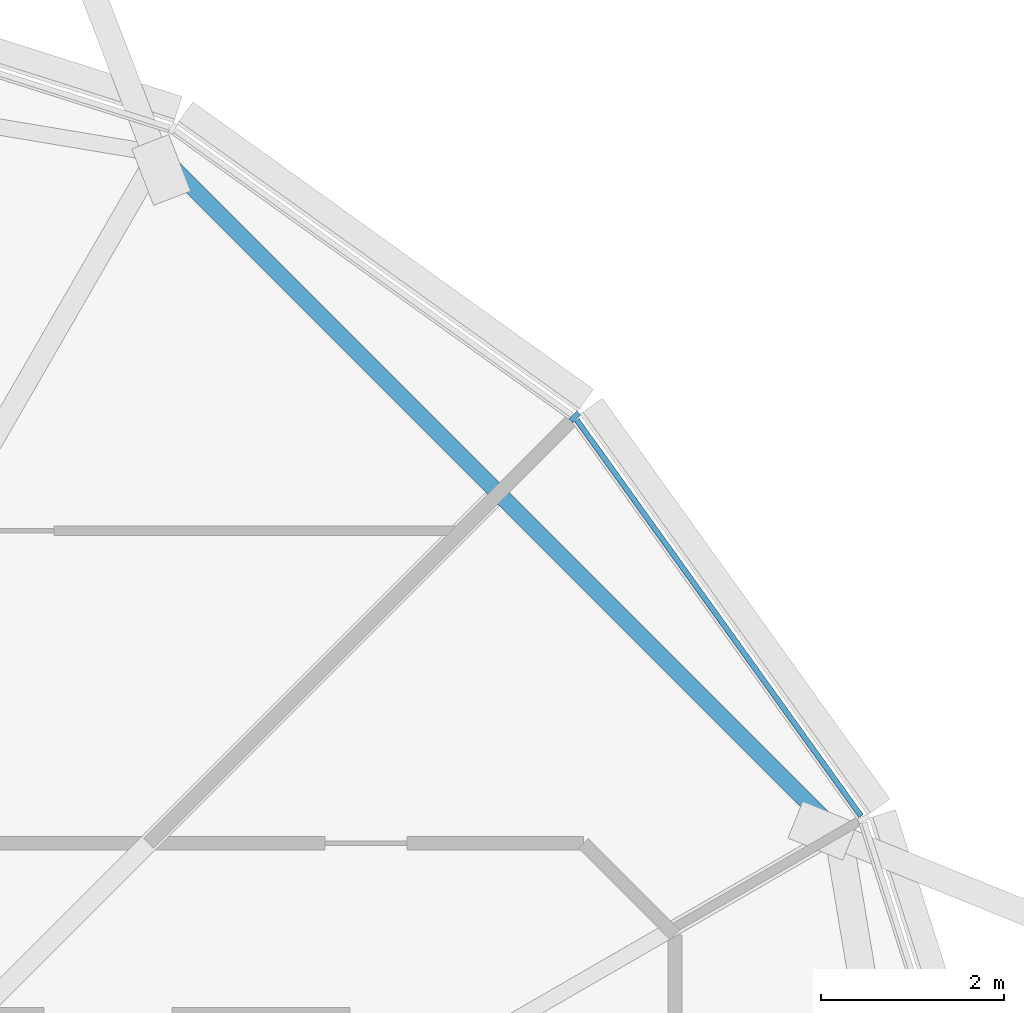
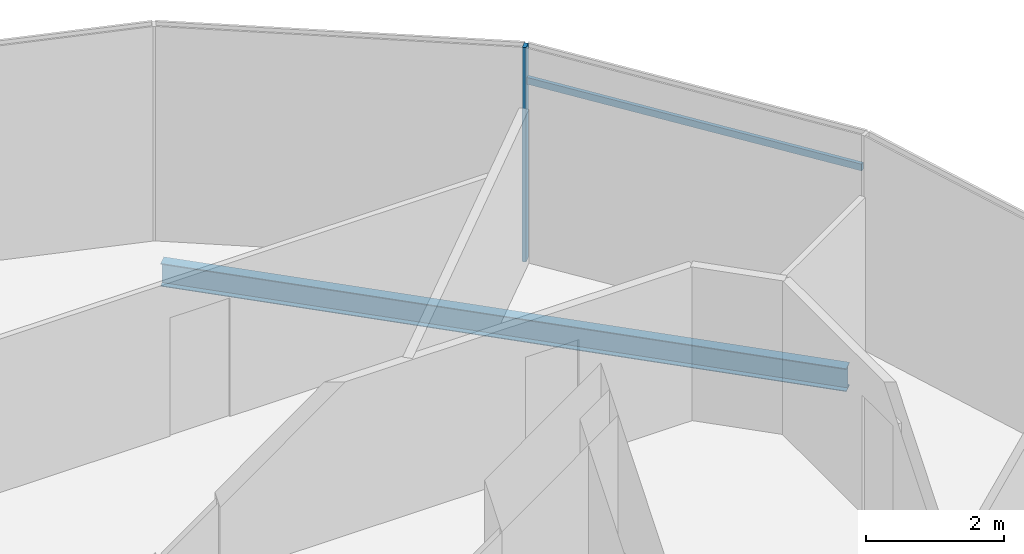
# One storey, part 15 of 35: 2 members, 1 beam, 1 element without a shape of its own.
"""IFC4 building model written with IfcOpenShell, lengths in metres."""

from ifc_helpers import new_model, si_unit, direction, frame, origin, origin_2d, place, context, subcontext, project, spatial, rectangle, i_section, extrude, material, material_profile, profile_set, type_object, element, aggregate, save


model = new_model("IFC4")

# Units and contexts
model_context = context("Model", 3, precision=1e-05, world=origin(), true_north=direction((0.0, 1.0)))
body_context = subcontext(model_context, "Body", "Model", "MODEL_VIEW")
ifc_project = project(units=[si_unit("LENGTHUNIT", "METRE"), si_unit("AREAUNIT", "SQUARE_METRE"), si_unit("VOLUMEUNIT", "CUBIC_METRE"), si_unit("PLANEANGLEUNIT", "RADIAN"), si_unit("MASSUNIT", "GRAM", prefix="KILO")], contexts=[model_context])

# Site, building, storey
site_placement = place(None, origin())
site = spatial("IfcSite", under=ifc_project, at=site_placement, CompositionType="ELEMENT")
building_placement = place(site_placement, origin())
building = spatial("IfcBuilding", under=site, at=building_placement, Name="Rimbun Link Towers", CompositionType="ELEMENT")
storey_placement = place(building_placement, frame((0.0, 0.0, 229.5)))
storey = spatial("IfcBuildingStorey", under=building, at=storey_placement, Name="L56", CompositionType="ELEMENT", Elevation=229.5)

# Curtain wall, members
ifc_material_1 = material(Name="Aluminium 6063-T6 and low-iron glass", Category="aluminium")
curtain_wall_type = type_object("IfcCurtainWallType", Name="CW1-Z4 unitised vision wall (zone 4)", PredefinedType="NOTDEFINED", material=ifc_material_1)
curtain_wall_placement = place(storey_placement, origin())
curtain_wall = element("IfcCurtainWall", 1, at=curtain_wall_placement, inside=storey, type_object=curtain_wall_type, Name="CW1 L56 T2", PredefinedType="NOTDEFINED")
ifc_material_2 = material(Name="Aluminium 6063-T6", Category="aluminium")
ifc_material_profile_1 = material_profile(ifc_material_2, rectangle(XDim=0.1201171875, YDim=0.06005859375, at=origin_2d()), Name="MULLION 60X120")
ifc_profile_set_1 = profile_set([ifc_material_profile_1], Name="Aluminium 6063-T6")
member_type_1 = type_object("IfcMemberType", Name="CW1 mullion 60X120", PredefinedType="MULLION", material=ifc_profile_set_1)
member_1_placement = place(storey_placement, frame((46.459716796875, 14.709716796875, 0.0), z_axis=(0.0, 0.0, 1.0), x_axis=(0.707106781187, 0.707106781187, 0.0)))
member_1 = element("IfcMember", 2, at=member_1_placement, type_object=member_type_1, Name="CW1 mullion", PredefinedType="MULLION", context=body_context, shape_type="SweptSolid", body=[
    extrude(rectangle(XDim=0.1201171875, YDim=0.06005859375, at=origin_2d()), origin(), (0.0, 0.0, 1.0), 3.800048828125),
])
ifc_material_3 = material(Name="Aluminium 6063-T6", Category="aluminium")
ifc_material_profile_2 = material_profile(ifc_material_3, rectangle(XDim=0.06005859375, YDim=0.1201171875, at=origin_2d()), Name="TRANSOM 60X120")
ifc_profile_set_2 = profile_set([ifc_material_profile_2], Name="Aluminium 6063-T6")
member_type_2 = type_object("IfcMemberType", Name="CW1 transom 60X120", PredefinedType="USERDEFINED", material=ifc_profile_set_2)
member_2_placement = place(storey_placement, frame((46.48193359375, 14.6767578125, 3.199951171875), z_axis=(0.583011646162, -0.812463796387, 0.0), x_axis=(0.812463796387, 0.583011646162, 0.0)))
member_2 = element("IfcMember", 3, at=member_2_placement, type_object=member_type_2, Name="CW1 transom", ObjectType="TRANSOM", PredefinedType="USERDEFINED", context=body_context, shape_type="SweptSolid", body=[
    extrude(rectangle(XDim=0.06005859375, YDim=0.1201171875, at=origin_2d()), origin(), (0.0, 0.0, 1.0), 5.3349609375),
])
aggregate(curtain_wall, [member_1, member_2])

# Beam
ifc_material_4 = material(Name="Steel S355J2", Category="steel")
ifc_material_profile_3 = material_profile(ifc_material_4, i_section(OverallWidth=0.177978515625, OverallDepth=0.406494140625, WebThickness=0.0078125, FlangeThickness=0.0126953125, at=origin_2d()), Name="UB 406x178x60")
ifc_profile_set_3 = profile_set([ifc_material_profile_3], Name="Steel S355J2")
beam_type = type_object("IfcBeamType", Name="UB 406x178x60", PredefinedType="BEAM", material=ifc_profile_set_3)
beam_placement = place(storey_placement, frame((49.277587890625, 10.219482421875, -0.34326171875), z_axis=(-0.707106781187, 0.707106781187, 0.0), x_axis=(-0.707106781187, -0.707106781187, 0.0)))
element("IfcBeam", 4, at=beam_placement, inside=storey, type_object=beam_type, Name="Edge beam T2 L56 23-01", PredefinedType="BEAM", context=body_context, shape_type="SweptSolid", body=[
    extrude(i_section(OverallWidth=0.177978515625, OverallDepth=0.406494140625, WebThickness=0.0078125, FlangeThickness=0.0126953125, at=origin_2d()), origin(), (0.0, 0.0, 1.0), 10.305908203125),
])

save(model, "model.ifc")
